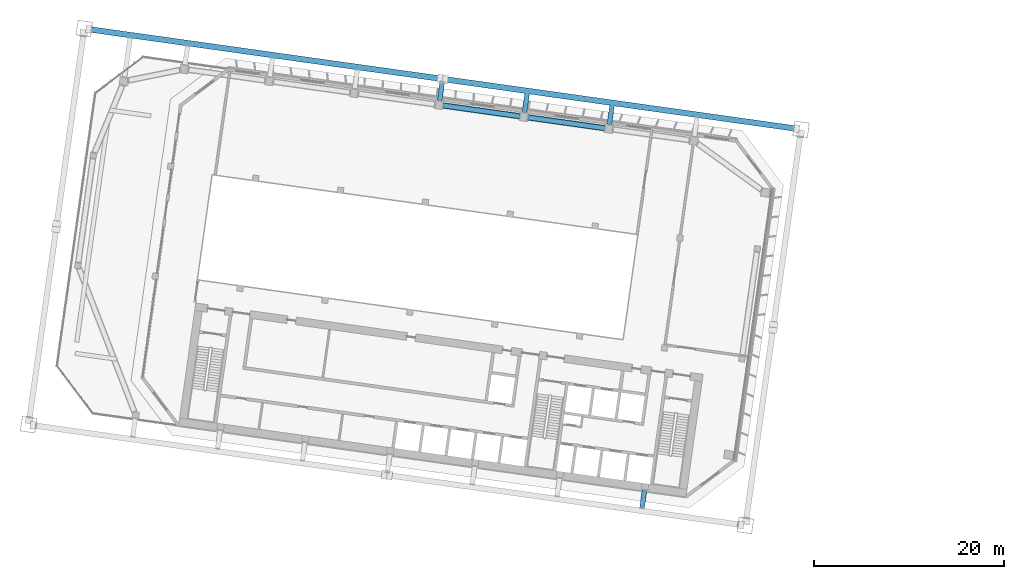
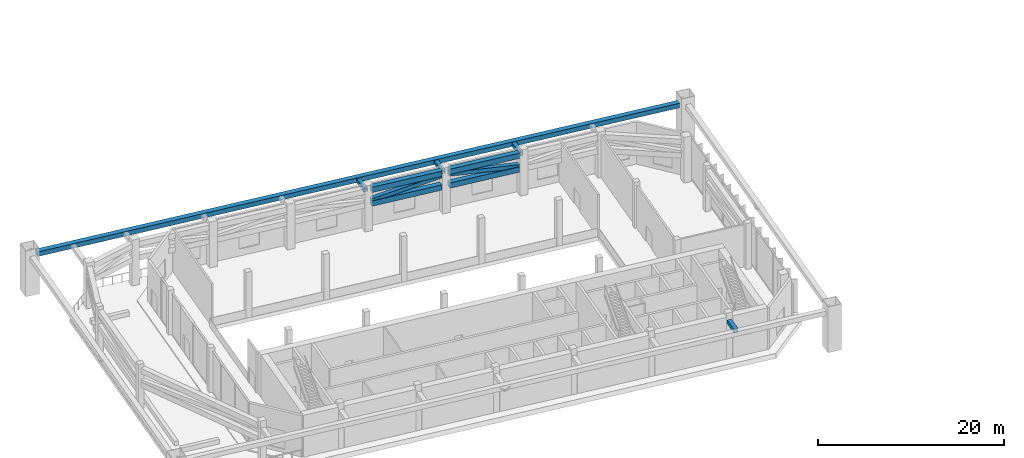
# One storey, part 6 of 41: 11 members.
"""IFC4 building model written with IfcOpenShell, lengths in metres."""

from ifc_helpers import new_model, si_unit, direction, frame, origin, origin_2d, place, context, subcontext, project, spatial, hollow_rectangle, extrude, material, material_profile, profile_set, type_object, element, save


model = new_model("IFC4")

# Units and contexts
model_context = context("Model", 3, precision=1e-05, world=origin(), true_north=direction((0.0, 1.0)))
body_context = subcontext(model_context, "Body", "Model", "MODEL_VIEW")
ifc_project = project(units=[si_unit("LENGTHUNIT", "METRE"), si_unit("AREAUNIT", "SQUARE_METRE"), si_unit("VOLUMEUNIT", "CUBIC_METRE"), si_unit("PLANEANGLEUNIT", "RADIAN"), si_unit("MASSUNIT", "GRAM", prefix="KILO")], contexts=[model_context])

# Site, building, storey
site_placement = place(None, origin())
site = spatial("IfcSite", under=ifc_project, at=site_placement, CompositionType="ELEMENT")
building_placement = place(site_placement, origin())
building = spatial("IfcBuilding", under=site, at=building_placement, Name="Mirante Cascada Hotel Towers", CompositionType="ELEMENT")
storey_placement = place(building_placement, frame((0.0, 0.0, 92.7)))
storey = spatial("IfcBuildingStorey", under=building, at=storey_placement, Name="L20", CompositionType="ELEMENT", Elevation=92.7)

# Members
ifc_material_1 = material(Name="Steel ASTM A572 Gr 50", Category="steel")
ifc_material_profile_1 = material_profile(ifc_material_1, hollow_rectangle(XDim=0.6, YDim=0.6, WallThickness=0.04, at=origin_2d()), Name="Box chord 600x600x40 ASTM A572 Gr 50")
ifc_profile_set_1 = profile_set([ifc_material_profile_1], Name="Steel ASTM A572 Gr 50")
member_type_1 = type_object("IfcMemberType", Name="Box chord 600x600x40 ASTM A572 Gr 50", PredefinedType="CHORD", material=ifc_profile_set_1)
member_1_placement = place(storey_placement, frame((-25.8692, 18.6258, 4.85), z_axis=(-0.990268, 0.1391737, 0.0), x_axis=(-0.1391737, -0.990268, 0.0)))
element("IfcMember", 1, at=member_1_placement, inside=storey, type_object=member_type_1, Name="exochord T1 L20 1", PredefinedType="CHORD", context=body_context, shape_type="SweptSolid", body=[
    extrude(hollow_rectangle(XDim=0.6, YDim=0.6, WallThickness=0.04, at=origin_2d()), origin(), (0.0, 0.0, 1.0), 74.4401),
])
ifc_material_2 = material(Name="Steel ASTM A572 Gr 50", Category="steel")
ifc_material_profile_2 = material_profile(ifc_material_2, hollow_rectangle(XDim=0.6, YDim=0.7, WallThickness=0.05, at=origin_2d()), Name="Box chord 700x600x50 ASTM A572 Gr 50")
ifc_profile_set_2 = profile_set([ifc_material_profile_2], Name="Steel ASTM A572 Gr 50")
member_type_2 = type_object("IfcMemberType", Name="Box chord 700x600x50 ASTM A572 Gr 50", PredefinedType="CHORD", material=ifc_profile_set_2)
for number, where, z_axis, x_axis, name in (
    (2, (-45.7107, 18.6374, 5.2), (-0.9902693, 0.1391645, 0.0), (-0.1391645, -0.9902693, 0.0), "belt T1 L20 7"),
    (3, (-45.7107, 18.6374, 3.4), (-0.9902693, 0.1391645, 0.0), (-0.1391645, -0.9902693, 0.0), "belt T1 L20 8"),
    (4, (-54.6231, 19.8899, 5.2), (-0.9902676, 0.1391765, 0.0), (-0.1391765, -0.9902676, 0.0), "belt T1 L20 10"),
    (5, (-54.6231, 19.8899, 3.4), (-0.9902676, 0.1391765, 0.0), (-0.1391765, -0.9902676, 0.0), "belt T1 L20 11"),
):
    element("IfcMember", number, at=place(storey_placement, frame(where, z_axis=z_axis, x_axis=x_axis)), inside=storey, type_object=member_type_2, Name=name, PredefinedType="CHORD", context=body_context, shape_type="SweptSolid", body=[
        extrude(hollow_rectangle(XDim=0.6, YDim=0.7, WallThickness=0.05, at=origin_2d()), origin(), (0.0, 0.0, 1.0), 8.14),
    ])
ifc_material_3 = material(Name="Steel ASTM A572 Gr 50", Category="steel")
ifc_material_profile_3 = material_profile(ifc_material_3, hollow_rectangle(XDim=0.5, YDim=0.5, WallThickness=0.035, at=origin_2d()), Name="Box diagonal 500x500x35 ASTM A572 Gr 50")
ifc_profile_set_3 = profile_set([ifc_material_profile_3], Name="Steel ASTM A572 Gr 50")
member_type_3 = type_object("IfcMemberType", Name="Box diagonal 500x500x35 ASTM A572 Gr 50", PredefinedType="BRACE", material=ifc_profile_set_3)
for number, where, z_axis, x_axis, name in (
    (6, (-45.7107, 18.6374, 3.75), (-0.9813494, 0.1379109, 0.1339178), (-0.1391645, -0.9902693, 0.0), "belt T1 L20 9"),
    (7, (-54.6231, 19.8899, 4.85), (-0.9813477, 0.1379229, -0.1339175), (-0.1391765, -0.9902676, 0.0), "belt T1 L20 12"),
):
    element("IfcMember", number, at=place(storey_placement, frame(where, z_axis=z_axis, x_axis=x_axis)), inside=storey, type_object=member_type_3, Name=name, PredefinedType="BRACE", context=body_context, shape_type="SweptSolid", body=[
        extrude(hollow_rectangle(XDim=0.5, YDim=0.5, WallThickness=0.035, at=origin_2d()), origin(), (0.0, 0.0, 1.0), 8.214),
    ])
ifc_material_4 = material(Name="Steel ASTM A572 Gr 50", Category="steel")
ifc_material_profile_4 = material_profile(ifc_material_4, hollow_rectangle(XDim=0.5, YDim=0.5, WallThickness=0.035, at=origin_2d()), Name="Box tie 500x500x35 ASTM A572 Gr 50")
ifc_profile_set_4 = profile_set([ifc_material_profile_4], Name="Steel ASTM A572 Gr 50")
member_type_4 = type_object("IfcMemberType", Name="Box tie 500x500x35 ASTM A572 Gr 50", PredefinedType="STRUT", material=ifc_profile_set_4)
member_2_placement = place(storey_placement, frame((-41.5261, -19.3447, 4.85), z_axis=(-0.1391766, -0.9902676, 0.0), x_axis=(0.9902676, -0.1391766, 0.0)))
element("IfcMember", 8, at=member_2_placement, inside=storey, type_object=member_type_4, Name="tie T1 L20 2", PredefinedType="STRUT", context=body_context, shape_type="SweptSolid", body=[
    extrude(hollow_rectangle(XDim=0.5, YDim=0.5, WallThickness=0.035, at=origin_2d()), origin(), (0.0, 0.0, 1.0), 1.94),
])
member_3_placement = place(storey_placement, frame((-45.2251, 19.0033, 4.85), z_axis=(0.1391632, 0.9902695, 0.0), x_axis=(-0.9902695, 0.1391632, 0.0)))
element("IfcMember", 9, at=member_3_placement, inside=storey, type_object=member_type_4, Name="tie T1 L20 3", PredefinedType="STRUT", context=body_context, shape_type="SweptSolid", body=[
    extrude(hollow_rectangle(XDim=0.5, YDim=0.5, WallThickness=0.035, at=origin_2d()), origin(), (0.0, 0.0, 1.0), 2.0401),
])
member_4_placement = place(storey_placement, frame((-54.1375, 20.2559, 4.85), z_axis=(0.13917, 0.9902685, 0.0), x_axis=(-0.9902685, 0.13917, 0.0)))
element("IfcMember", 10, at=member_4_placement, inside=storey, type_object=member_type_4, Name="tie T1 L20 5", PredefinedType="STRUT", context=body_context, shape_type="SweptSolid", body=[
    extrude(hollow_rectangle(XDim=0.5, YDim=0.5, WallThickness=0.035, at=origin_2d()), origin(), (0.0, 0.0, 1.0), 2.04),
])
member_5_placement = place(storey_placement, frame((-63.0499, 21.5084, 4.85), z_axis=(0.1391632, 0.9902695, 0.0), x_axis=(-0.9902695, 0.1391632, 0.0)))
element("IfcMember", 11, at=member_5_placement, inside=storey, type_object=member_type_4, Name="tie T1 L20 7", PredefinedType="STRUT", context=body_context, shape_type="SweptSolid", body=[
    extrude(hollow_rectangle(XDim=0.5, YDim=0.5, WallThickness=0.035, at=origin_2d()), origin(), (0.0, 0.0, 1.0), 2.0401),
])

save(model, "model.ifc")
